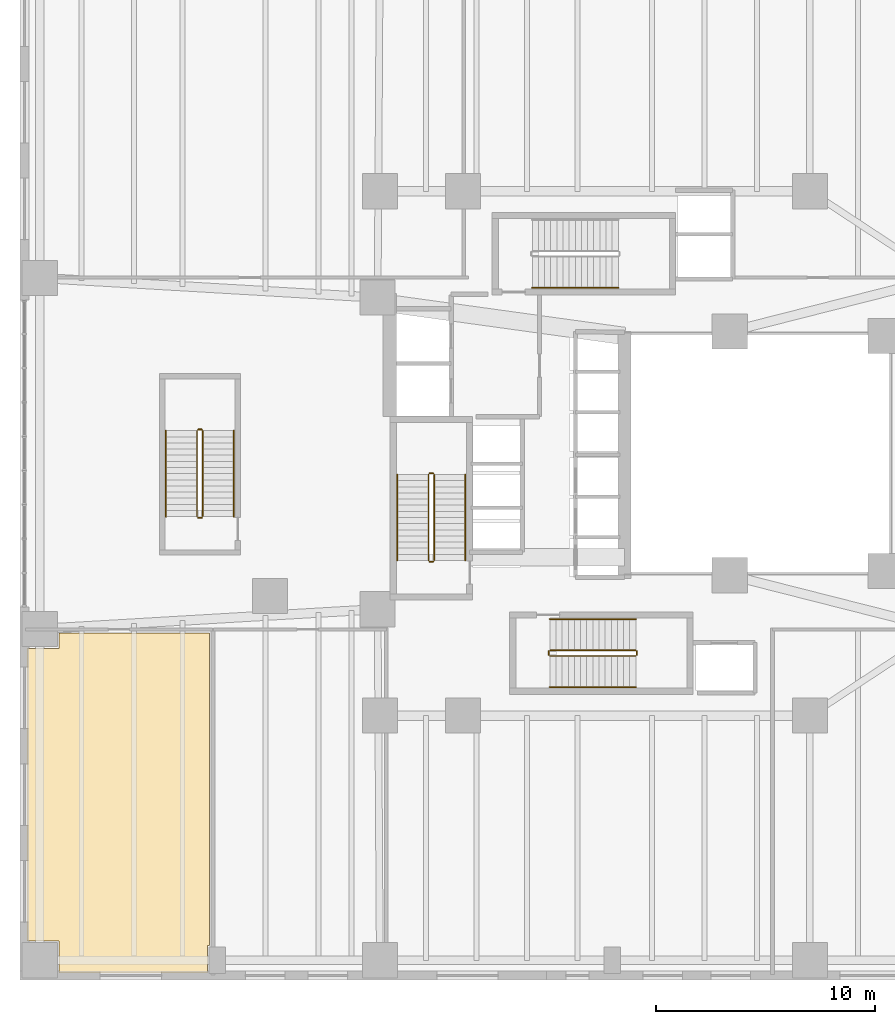
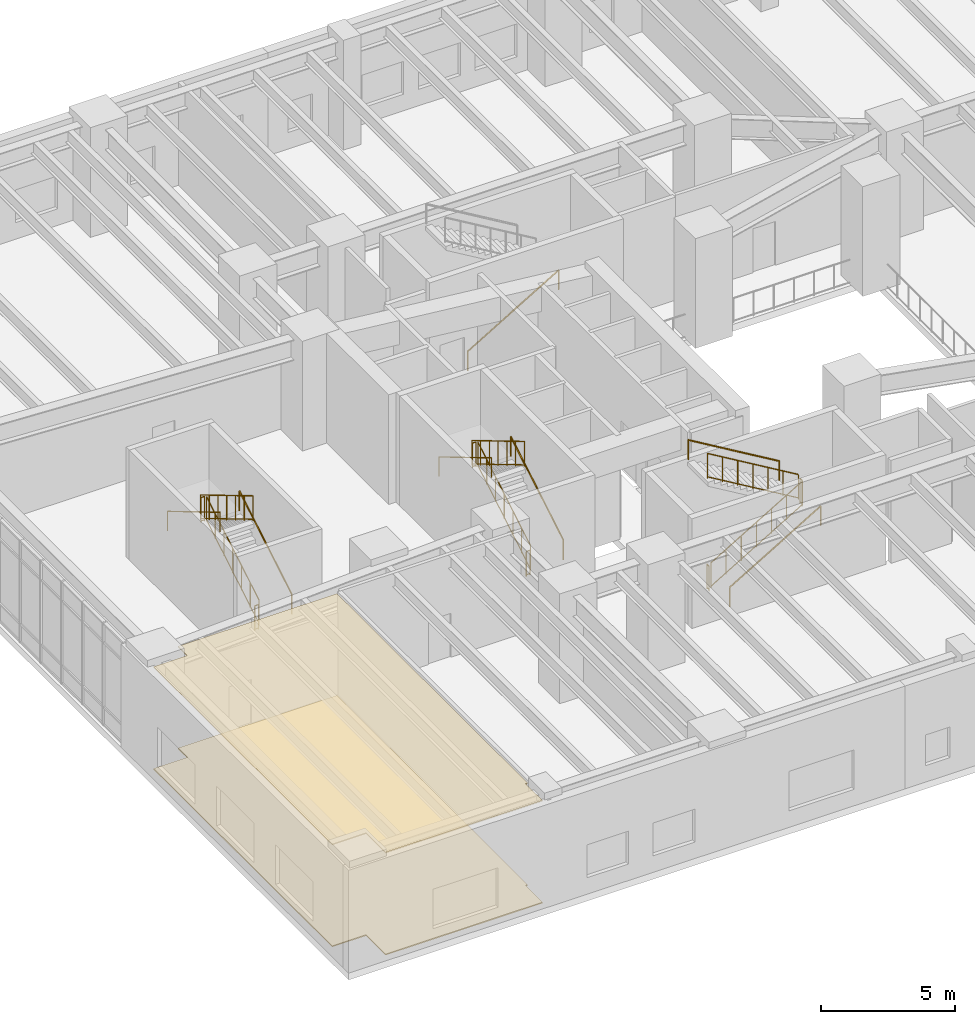
# One storey, part 17 of 18: 19 railings, 2 coverings.
"""IFC4 building model written with IfcOpenShell, lengths in metres."""

from ifc_helpers import new_model, si_unit, direction, frame, origin, origin_2d, place, context, subcontext, project, spatial, polyline, circle, outline, extrude, material, layer, layer_set, type_object, element, save


model = new_model("IFC4")

# Units and contexts
model_context = context("Model", 3, precision=1e-05, world=origin(), true_north=direction((0.0, 1.0)))
body_context = subcontext(model_context, "Body", "Model", "MODEL_VIEW")
ifc_project = project(units=[si_unit("LENGTHUNIT", "METRE"), si_unit("AREAUNIT", "SQUARE_METRE"), si_unit("VOLUMEUNIT", "CUBIC_METRE"), si_unit("PLANEANGLEUNIT", "RADIAN"), si_unit("MASSUNIT", "GRAM", prefix="KILO"), si_unit("THERMODYNAMICTEMPERATUREUNIT", "KELVIN"), si_unit("POWERUNIT", "WATT")], contexts=[model_context])

# Site, building, storey
site_placement = place(None, origin())
site = spatial("IfcSite", under=ifc_project, at=site_placement, CompositionType="ELEMENT")
building_placement = place(site_placement, origin())
building = spatial("IfcBuilding", under=site, at=building_placement, Name="Skarre Station Tower", CompositionType="ELEMENT")
storey_placement = place(building_placement, frame((0.0, 0.0, 11.0)))
storey = spatial("IfcBuildingStorey", under=building, at=storey_placement, Name="L03", CompositionType="ELEMENT", Elevation=11.0)

# Coverings
ifc_material_1 = material(Name="Honed Jura Limestone & Calcium-Sulfate Access Tile", Category="masonry")
ifc_layer_1 = layer(ifc_material_1, 0.050048828125, Name="Honed Jura Limestone & Calcium-Sulfate Access Tile")
ifc_layer_set_1 = layer_set([ifc_layer_1], Name="Honed Jura Limestone & Calcium-Sulfate Access Tile")
covering_type_1 = type_object("IfcCoveringType", Name="Honed Limestone & Raised Access Floor Finish 50", PredefinedType="FLOORING", material=ifc_layer_set_1)
covering_1_placement = place(storey_placement, origin())
element("IfcCovering", 1, at=covering_1_placement, inside=storey, type_object=covering_type_1, Name="L03 Limestone Access Flooring 1", PredefinedType="FLOORING", context=body_context, shape_type="SweptSolid", body=[
    extrude(outline(polyline([(1.780029296875, 0.320068359375), (8.544921875, 0.320068359375), (8.544921875, 1.580078125), (8.634033203125, 1.580078125), (8.634033203125, 15.820068359375), (1.780029296875, 15.820068359375), (1.780029296875, 15.1201171875), (0.320068359375, 15.1201171875), (0.320068359375, 1.780029296875), (1.780029296875, 1.780029296875), (1.780029296875, 0.320068359375)])), origin(), (0.0, 0.0, 1.0), 0.050048828125),
])
ifc_material_2 = material(Name="Perforated Nordic Birch Veneer & Mineral Wool", Category="wood")
ifc_layer_2 = layer(ifc_material_2, 0.044921875, Name="Perforated Nordic Birch Veneer & Mineral Wool")
ifc_layer_set_2 = layer_set([ifc_layer_2], Name="Perforated Nordic Birch Veneer & Mineral Wool")
covering_type_2 = type_object("IfcCoveringType", Name="Nordic Birch Slatted Acoustic Suspended Ceiling 45", PredefinedType="CEILING", material=ifc_layer_set_2)
covering_2_placement = place(storey_placement, frame((0.0, 0.0, 4.64501953125)))
element("IfcCovering", 2, at=covering_2_placement, inside=storey, type_object=covering_type_2, Name="L03 Acoustic Birch Ceiling 1", PredefinedType="CEILING", context=body_context, shape_type="SweptSolid", body=[
    extrude(outline(polyline([(1.780029296875, 0.320068359375), (8.544921875, 0.320068359375), (8.544921875, 1.580078125), (8.634033203125, 1.580078125), (8.634033203125, 15.820068359375), (1.780029296875, 15.820068359375), (1.780029296875, 15.1201171875), (0.320068359375, 15.1201171875), (0.320068359375, 1.780029296875), (1.780029296875, 1.780029296875), (1.780029296875, 0.320068359375)])), origin(), (0.0, 0.0, 1.0), 0.044921875),
])

# Railings
ifc_material_3 = material(Name="Powder-Coated Tubular Steel", Category="steel")
railing_type_1 = type_object("IfcRailingType", Name="Painted Steel Ramp & Stair Handrail 920", PredefinedType="HANDRAIL", material=ifc_material_3)
railing_1_placement = place(storey_placement, frame((20.300048828125, 19.1201171875, 0.166748046875)))
element("IfcRailing", 3, at=railing_1_placement, inside=storey, type_object=railing_type_1, Name="L03 ST-1 stair handrail 1", PredefinedType="HANDRAIL", context=body_context, shape_type="SweptSolid", body=[
    extrude(circle(Radius=0.02392578125, at=origin_2d()), frame((0.0, 0.0, 0.8759765625), z_axis=(0.0, 0.859296244711, 0.511478214419), x_axis=(-1.0, 0.0, 0.0)), (0.0, 0.0, 1.0), 4.561767578125),
    extrude(circle(Radius=0.02099609375, at=origin_2d()), origin(), (0.0, 0.0, 1.0), 0.851806640625),
    extrude(circle(Radius=0.02099609375, at=origin_2d()), frame((0.0, 3.919921875, 2.333251953125)), (0.0, 0.0, 1.0), 0.851806640625),
])
railing_2_placement = place(storey_placement, frame((17.199951171875, 23.0400390625, 2.666748046875)))
element("IfcRailing", 4, at=railing_2_placement, inside=storey, type_object=railing_type_1, Name="L03 ST-1 stair handrail 2", PredefinedType="HANDRAIL", context=body_context, shape_type="SweptSolid", body=[
    extrude(circle(Radius=0.02392578125, at=origin_2d()), frame((0.0, 0.0, 0.8759765625), z_axis=(0.0, -0.859296244711, 0.511478214419), x_axis=(1.0, 0.0, 0.0)), (0.0, 0.0, 1.0), 4.561767578125),
    extrude(circle(Radius=0.02099609375, at=origin_2d()), origin(), (0.0, 0.0, 1.0), 0.851806640625),
    extrude(circle(Radius=0.02099609375, at=origin_2d()), frame((0.0, -3.919921875, 2.333251953125)), (0.0, 0.0, 1.0), 0.851806640625),
])
railing_3_placement = place(storey_placement, frame((24.14990234375, 13.35009765625, 0.166748046875)))
element("IfcRailing", 5, at=railing_3_placement, inside=storey, type_object=railing_type_1, Name="L03 ST-2 stair handrail 1", PredefinedType="HANDRAIL", context=body_context, shape_type="SweptSolid", body=[
    extrude(circle(Radius=0.02392578125, at=origin_2d()), frame((0.0, 0.0, 0.8759765625), z_axis=(0.859310244771, 0.0, 0.511454693235), x_axis=(0.0, 1.0, 0.0)), (0.0, 0.0, 1.0), 4.56201171875),
    extrude(circle(Radius=0.02099609375, at=origin_2d()), origin(), (0.0, 0.0, 1.0), 0.851806640625),
    extrude(circle(Radius=0.02099609375, at=origin_2d()), frame((3.920166015625, 0.0, 2.333251953125)), (0.0, 0.0, 1.0), 0.851806640625),
])
railing_4_placement = place(storey_placement, frame((28.070068359375, 16.449951171875, 2.666748046875)))
element("IfcRailing", 6, at=railing_4_placement, inside=storey, type_object=railing_type_1, Name="L03 ST-2 stair handrail 2", PredefinedType="HANDRAIL", context=body_context, shape_type="SweptSolid", body=[
    extrude(circle(Radius=0.02392578125, at=origin_2d()), frame((0.0, 0.0, 0.8759765625), z_axis=(-0.859310244771, 0.0, 0.511454693235), x_axis=(0.0, -1.0, 0.0)), (0.0, 0.0, 1.0), 4.56201171875),
    extrude(circle(Radius=0.02099609375, at=origin_2d()), origin(), (0.0, 0.0, 1.0), 0.851806640625),
    extrude(circle(Radius=0.02099609375, at=origin_2d()), frame((-3.920166015625, 0.0, 2.333251953125)), (0.0, 0.0, 1.0), 0.851806640625),
])
railing_5_placement = place(storey_placement, frame((23.35009765625, 31.550048828125, 0.166748046875)))
element("IfcRailing", 7, at=railing_5_placement, inside=storey, type_object=railing_type_1, Name="L03 ST-3 stair handrail 1", PredefinedType="HANDRAIL", context=body_context, shape_type="SweptSolid", body=[
    extrude(circle(Radius=0.02392578125, at=origin_2d()), frame((0.0, 0.0, 0.8759765625), z_axis=(0.859296244711, 0.0, 0.511478214419), x_axis=(0.0, 1.0, 0.0)), (0.0, 0.0, 1.0), 4.561767578125),
    extrude(circle(Radius=0.02099609375, at=origin_2d()), origin(), (0.0, 0.0, 1.0), 0.851806640625),
    extrude(circle(Radius=0.02099609375, at=origin_2d()), frame((3.919921875, 0.0, 2.333251953125)), (0.0, 0.0, 1.0), 0.851806640625),
])
railing_6_placement = place(storey_placement, frame((9.75, 21.1201171875, 0.166748046875)))
element("IfcRailing", 8, at=railing_6_placement, inside=storey, type_object=railing_type_1, Name="L03 ST-4 stair handrail 1", PredefinedType="HANDRAIL", context=body_context, shape_type="SweptSolid", body=[
    extrude(circle(Radius=0.02392578125, at=origin_2d()), frame((0.0, 0.0, 0.8759765625), z_axis=(0.0, 0.859296244711, 0.511478214419), x_axis=(-1.0, 0.0, 0.0)), (0.0, 0.0, 1.0), 4.561767578125),
    extrude(circle(Radius=0.02099609375, at=origin_2d()), origin(), (0.0, 0.0, 1.0), 0.851806640625),
    extrude(circle(Radius=0.02099609375, at=origin_2d()), frame((0.0, 3.919921875, 2.333251953125)), (0.0, 0.0, 1.0), 0.851806640625),
])
railing_7_placement = place(storey_placement, frame((6.64990234375, 25.0400390625, 2.666748046875)))
element("IfcRailing", 9, at=railing_7_placement, inside=storey, type_object=railing_type_1, Name="L03 ST-4 stair handrail 2", PredefinedType="HANDRAIL", context=body_context, shape_type="SweptSolid", body=[
    extrude(circle(Radius=0.02392578125, at=origin_2d()), frame((0.0, 0.0, 0.8759765625), z_axis=(0.0, -0.859296244711, 0.511478214419), x_axis=(1.0, 0.0, 0.0)), (0.0, 0.0, 1.0), 4.561767578125),
    extrude(circle(Radius=0.02099609375, at=origin_2d()), origin(), (0.0, 0.0, 1.0), 0.851806640625),
    extrude(circle(Radius=0.02099609375, at=origin_2d()), frame((0.0, -3.919921875, 2.333251953125)), (0.0, 0.0, 1.0), 0.851806640625),
])
railing_type_2 = type_object("IfcRailingType", Name="Painted Steel Stairwell Guardrail 1100", PredefinedType="GUARDRAIL", material=ifc_material_3)
railing_8_placement = place(storey_placement, frame((18.8798828125, 19.1201171875, 0.166748046875)))
element("IfcRailing", 10, at=railing_8_placement, inside=storey, type_object=railing_type_2, Name="L03 ST-1 stair guard 1", PredefinedType="GUARDRAIL", context=body_context, shape_type="SweptSolid", body=[
    extrude(circle(Radius=0.02392578125, at=origin_2d()), frame((0.0, 0.0, 1.1259765625), z_axis=(0.0, 0.859296244711, 0.511478214419), x_axis=(-1.0, 0.0, 0.0)), (0.0, 0.0, 1.0), 4.561767578125),
    extrude(circle(Radius=0.02099609375, at=origin_2d()), frame((0.0, 0.0, 0.06005859375), z_axis=(0.0, 0.859296244711, 0.511478214419), x_axis=(-1.0, 0.0, 0.0)), (0.0, 0.0, 1.0), 4.561767578125),
    extrude(circle(Radius=0.02099609375, at=origin_2d()), origin(), (0.0, 0.0, 1.0), 1.101806640625),
    extrude(circle(Radius=0.02099609375, at=origin_2d()), frame((0.0, 0.6533203125, 0.388916015625)), (0.0, 0.0, 1.0), 1.101806640625),
    extrude(circle(Radius=0.02099609375, at=origin_2d()), frame((0.0, 1.306640625, 0.77783203125)), (0.0, 0.0, 1.0), 1.101806640625),
    extrude(circle(Radius=0.02099609375, at=origin_2d()), frame((0.0, 1.9599609375, 1.16650390625)), (0.0, 0.0, 1.0), 1.101806640625),
    extrude(circle(Radius=0.02099609375, at=origin_2d()), frame((0.0, 2.61328125, 1.555419921875)), (0.0, 0.0, 1.0), 1.101806640625),
    extrude(circle(Radius=0.02099609375, at=origin_2d()), frame((0.0, 3.2666015625, 1.9443359375)), (0.0, 0.0, 1.0), 1.101806640625),
    extrude(circle(Radius=0.02099609375, at=origin_2d()), frame((0.0, 3.919921875, 2.333251953125)), (0.0, 0.0, 1.0), 1.101806640625),
])
railing_9_placement = place(storey_placement, frame((18.830078125, 23.090087890625, 2.5)))
element("IfcRailing", 11, at=railing_9_placement, inside=storey, type_object=railing_type_2, Name="L03 ST-1 stair guard 2", PredefinedType="GUARDRAIL", context=body_context, shape_type="SweptSolid", body=[
    extrude(circle(Radius=0.02392578125, at=origin_2d()), frame((0.0, 0.0, 1.1259765625), z_axis=(-1.0, 0.0, 0.0), x_axis=(0.0, -1.0, 0.0)), (0.0, 0.0, 1.0), 0.16015625),
    extrude(circle(Radius=0.02099609375, at=origin_2d()), frame((0.0, 0.0, 0.06005859375), z_axis=(-1.0, 0.0, 0.0), x_axis=(0.0, -1.0, 0.0)), (0.0, 0.0, 1.0), 0.16015625),
    extrude(circle(Radius=0.02099609375, at=origin_2d()), origin(), (0.0, 0.0, 1.0), 1.101806640625),
    extrude(circle(Radius=0.02099609375, at=origin_2d()), frame((-0.16015625, 0.0, 0.0)), (0.0, 0.0, 1.0), 1.101806640625),
])
railing_10_placement = place(storey_placement, frame((18.6201171875, 23.0400390625, 2.666748046875)))
element("IfcRailing", 12, at=railing_10_placement, inside=storey, type_object=railing_type_2, Name="L03 ST-1 stair guard 3", PredefinedType="GUARDRAIL", context=body_context, shape_type="SweptSolid", body=[
    extrude(circle(Radius=0.02392578125, at=origin_2d()), frame((0.0, 0.0, 1.1259765625), z_axis=(0.0, -0.859296244711, 0.511478214419), x_axis=(1.0, 0.0, 0.0)), (0.0, 0.0, 1.0), 4.561767578125),
    extrude(circle(Radius=0.02099609375, at=origin_2d()), frame((0.0, 0.0, 0.06005859375), z_axis=(0.0, -0.859296244711, 0.511478214419), x_axis=(1.0, 0.0, 0.0)), (0.0, 0.0, 1.0), 4.561767578125),
    extrude(circle(Radius=0.02099609375, at=origin_2d()), origin(), (0.0, 0.0, 1.0), 1.101806640625),
    extrude(circle(Radius=0.02099609375, at=origin_2d()), frame((0.0, -0.6533203125, 0.388916015625)), (0.0, 0.0, 1.0), 1.101806640625),
    extrude(circle(Radius=0.02099609375, at=origin_2d()), frame((0.0, -1.306640625, 0.77783203125)), (0.0, 0.0, 1.0), 1.101806640625),
    extrude(circle(Radius=0.02099609375, at=origin_2d()), frame((0.0, -1.9599609375, 1.16650390625)), (0.0, 0.0, 1.0), 1.101806640625),
    extrude(circle(Radius=0.02099609375, at=origin_2d()), frame((0.0, -2.61328125, 1.555419921875)), (0.0, 0.0, 1.0), 1.101806640625),
    extrude(circle(Radius=0.02099609375, at=origin_2d()), frame((0.0, -3.2666015625, 1.9443359375)), (0.0, 0.0, 1.0), 1.101806640625),
    extrude(circle(Radius=0.02099609375, at=origin_2d()), frame((0.0, -3.919921875, 2.333251953125)), (0.0, 0.0, 1.0), 1.101806640625),
])
railing_11_placement = place(storey_placement, frame((18.830078125, 19.070068359375, 0.0)))
element("IfcRailing", 13, at=railing_11_placement, inside=storey, type_object=railing_type_2, Name="L03 ST-1 stair guard 4", PredefinedType="GUARDRAIL", context=body_context, shape_type="SweptSolid", body=[
    extrude(circle(Radius=0.02392578125, at=origin_2d()), frame((0.0, 0.0, 1.1259765625), z_axis=(-1.0, 0.0, 0.0), x_axis=(0.0, -1.0, 0.0)), (0.0, 0.0, 1.0), 0.16015625),
    extrude(circle(Radius=0.02099609375, at=origin_2d()), frame((0.0, 0.0, 0.06005859375), z_axis=(-1.0, 0.0, 0.0), x_axis=(0.0, -1.0, 0.0)), (0.0, 0.0, 1.0), 0.16015625),
    extrude(circle(Radius=0.02099609375, at=origin_2d()), origin(), (0.0, 0.0, 1.0), 1.101806640625),
    extrude(circle(Radius=0.02099609375, at=origin_2d()), frame((-0.16015625, 0.0, 0.0)), (0.0, 0.0, 1.0), 1.101806640625),
])
railing_12_placement = place(storey_placement, frame((24.14990234375, 14.77001953125, 0.166748046875)))
element("IfcRailing", 14, at=railing_12_placement, inside=storey, type_object=railing_type_2, Name="L03 ST-2 stair guard 1", PredefinedType="GUARDRAIL", context=body_context, shape_type="SweptSolid", body=[
    extrude(circle(Radius=0.02392578125, at=origin_2d()), frame((0.0, 0.0, 1.1259765625), z_axis=(0.859310244771, 0.0, 0.511454693235), x_axis=(0.0, 1.0, 0.0)), (0.0, 0.0, 1.0), 4.56201171875),
    extrude(circle(Radius=0.02099609375, at=origin_2d()), frame((0.0, 0.0, 0.06005859375), z_axis=(0.859310244771, 0.0, 0.511454693235), x_axis=(0.0, 1.0, 0.0)), (0.0, 0.0, 1.0), 4.56201171875),
    extrude(circle(Radius=0.02099609375, at=origin_2d()), origin(), (0.0, 0.0, 1.0), 1.101806640625),
    extrude(circle(Radius=0.02099609375, at=origin_2d()), frame((0.6533203125, 0.0, 0.388916015625)), (0.0, 0.0, 1.0), 1.101806640625),
    extrude(circle(Radius=0.02099609375, at=origin_2d()), frame((1.306640625, 0.0, 0.77783203125)), (0.0, 0.0, 1.0), 1.101806640625),
    extrude(circle(Radius=0.02099609375, at=origin_2d()), frame((1.9599609375, 0.0, 1.16650390625)), (0.0, 0.0, 1.0), 1.101806640625),
    extrude(circle(Radius=0.02099609375, at=origin_2d()), frame((2.613525390625, 0.0, 1.555419921875)), (0.0, 0.0, 1.0), 1.101806640625),
    extrude(circle(Radius=0.02099609375, at=origin_2d()), frame((3.266845703125, 0.0, 1.9443359375)), (0.0, 0.0, 1.0), 1.101806640625),
    extrude(circle(Radius=0.02099609375, at=origin_2d()), frame((3.920166015625, 0.0, 2.333251953125)), (0.0, 0.0, 1.0), 1.101806640625),
])
railing_13_placement = place(storey_placement, frame((28.1201171875, 14.820068359375, 2.5)))
element("IfcRailing", 15, at=railing_13_placement, inside=storey, type_object=railing_type_2, Name="L03 ST-2 stair guard 2", PredefinedType="GUARDRAIL", context=body_context, shape_type="SweptSolid", body=[
    extrude(circle(Radius=0.02392578125, at=origin_2d()), frame((0.0, 0.0, 1.1259765625), z_axis=(0.0, 1.0, 0.0), x_axis=(-1.0, 0.0, 0.0)), (0.0, 0.0, 1.0), 0.159912109375),
    extrude(circle(Radius=0.02099609375, at=origin_2d()), frame((0.0, 0.0, 0.06005859375), z_axis=(0.0, 1.0, 0.0), x_axis=(-1.0, 0.0, 0.0)), (0.0, 0.0, 1.0), 0.159912109375),
    extrude(circle(Radius=0.02099609375, at=origin_2d()), origin(), (0.0, 0.0, 1.0), 1.101806640625),
    extrude(circle(Radius=0.02099609375, at=origin_2d()), frame((0.0, 0.159912109375, 0.0)), (0.0, 0.0, 1.0), 1.101806640625),
])
railing_14_placement = place(storey_placement, frame((28.070068359375, 15.030029296875, 2.666748046875)))
element("IfcRailing", 16, at=railing_14_placement, inside=storey, type_object=railing_type_2, Name="L03 ST-2 stair guard 3", PredefinedType="GUARDRAIL", context=body_context, shape_type="SweptSolid", body=[
    extrude(circle(Radius=0.02392578125, at=origin_2d()), frame((0.0, 0.0, 1.1259765625), z_axis=(-0.859310244771, 0.0, 0.511454693235), x_axis=(0.0, -1.0, 0.0)), (0.0, 0.0, 1.0), 4.56201171875),
    extrude(circle(Radius=0.02099609375, at=origin_2d()), frame((0.0, 0.0, 0.06005859375), z_axis=(-0.859310244771, 0.0, 0.511454693235), x_axis=(0.0, -1.0, 0.0)), (0.0, 0.0, 1.0), 4.56201171875),
    extrude(circle(Radius=0.02099609375, at=origin_2d()), origin(), (0.0, 0.0, 1.0), 1.101806640625),
    extrude(circle(Radius=0.02099609375, at=origin_2d()), frame((-0.6533203125, 0.0, 0.388916015625)), (0.0, 0.0, 1.0), 1.101806640625),
    extrude(circle(Radius=0.02099609375, at=origin_2d()), frame((-1.306640625, 0.0, 0.77783203125)), (0.0, 0.0, 1.0), 1.101806640625),
    extrude(circle(Radius=0.02099609375, at=origin_2d()), frame((-1.9599609375, 0.0, 1.16650390625)), (0.0, 0.0, 1.0), 1.101806640625),
    extrude(circle(Radius=0.02099609375, at=origin_2d()), frame((-2.613525390625, 0.0, 1.555419921875)), (0.0, 0.0, 1.0), 1.101806640625),
    extrude(circle(Radius=0.02099609375, at=origin_2d()), frame((-3.266845703125, 0.0, 1.9443359375)), (0.0, 0.0, 1.0), 1.101806640625),
    extrude(circle(Radius=0.02099609375, at=origin_2d()), frame((-3.920166015625, 0.0, 2.333251953125)), (0.0, 0.0, 1.0), 1.101806640625),
])
railing_15_placement = place(storey_placement, frame((24.10009765625, 14.820068359375, 0.0)))
element("IfcRailing", 17, at=railing_15_placement, inside=storey, type_object=railing_type_2, Name="L03 ST-2 stair guard 4", PredefinedType="GUARDRAIL", context=body_context, shape_type="SweptSolid", body=[
    extrude(circle(Radius=0.02392578125, at=origin_2d()), frame((0.0, 0.0, 1.1259765625), z_axis=(0.0, 1.0, 0.0), x_axis=(-1.0, 0.0, 0.0)), (0.0, 0.0, 1.0), 0.159912109375),
    extrude(circle(Radius=0.02099609375, at=origin_2d()), frame((0.0, 0.0, 0.06005859375), z_axis=(0.0, 1.0, 0.0), x_axis=(-1.0, 0.0, 0.0)), (0.0, 0.0, 1.0), 0.159912109375),
    extrude(circle(Radius=0.02099609375, at=origin_2d()), origin(), (0.0, 0.0, 1.0), 1.101806640625),
    extrude(circle(Radius=0.02099609375, at=origin_2d()), frame((0.0, 0.159912109375, 0.0)), (0.0, 0.0, 1.0), 1.101806640625),
])
railing_16_placement = place(storey_placement, frame((8.330078125, 21.1201171875, 0.166748046875)))
element("IfcRailing", 18, at=railing_16_placement, inside=storey, type_object=railing_type_2, Name="L03 ST-4 stair guard 1", PredefinedType="GUARDRAIL", context=body_context, shape_type="SweptSolid", body=[
    extrude(circle(Radius=0.02392578125, at=origin_2d()), frame((0.0, 0.0, 1.1259765625), z_axis=(0.0, 0.859296244711, 0.511478214419), x_axis=(-1.0, 0.0, 0.0)), (0.0, 0.0, 1.0), 4.561767578125),
    extrude(circle(Radius=0.02099609375, at=origin_2d()), frame((0.0, 0.0, 0.06005859375), z_axis=(0.0, 0.859296244711, 0.511478214419), x_axis=(-1.0, 0.0, 0.0)), (0.0, 0.0, 1.0), 4.561767578125),
    extrude(circle(Radius=0.02099609375, at=origin_2d()), origin(), (0.0, 0.0, 1.0), 1.101806640625),
    extrude(circle(Radius=0.02099609375, at=origin_2d()), frame((0.0, 0.6533203125, 0.388916015625)), (0.0, 0.0, 1.0), 1.101806640625),
    extrude(circle(Radius=0.02099609375, at=origin_2d()), frame((0.0, 1.306640625, 0.77783203125)), (0.0, 0.0, 1.0), 1.101806640625),
    extrude(circle(Radius=0.02099609375, at=origin_2d()), frame((0.0, 1.9599609375, 1.16650390625)), (0.0, 0.0, 1.0), 1.101806640625),
    extrude(circle(Radius=0.02099609375, at=origin_2d()), frame((0.0, 2.61328125, 1.555419921875)), (0.0, 0.0, 1.0), 1.101806640625),
    extrude(circle(Radius=0.02099609375, at=origin_2d()), frame((0.0, 3.2666015625, 1.9443359375)), (0.0, 0.0, 1.0), 1.101806640625),
    extrude(circle(Radius=0.02099609375, at=origin_2d()), frame((0.0, 3.919921875, 2.333251953125)), (0.0, 0.0, 1.0), 1.101806640625),
])
railing_17_placement = place(storey_placement, frame((8.280029296875, 25.090087890625, 2.5)))
element("IfcRailing", 19, at=railing_17_placement, inside=storey, type_object=railing_type_2, Name="L03 ST-4 stair guard 2", PredefinedType="GUARDRAIL", context=body_context, shape_type="SweptSolid", body=[
    extrude(circle(Radius=0.02392578125, at=origin_2d()), frame((0.0, 0.0, 1.1259765625), z_axis=(-1.0, 0.0, 0.0), x_axis=(0.0, -1.0, 0.0)), (0.0, 0.0, 1.0), 0.159912109375),
    extrude(circle(Radius=0.02099609375, at=origin_2d()), frame((0.0, 0.0, 0.06005859375), z_axis=(-1.0, 0.0, 0.0), x_axis=(0.0, -1.0, 0.0)), (0.0, 0.0, 1.0), 0.159912109375),
    extrude(circle(Radius=0.02099609375, at=origin_2d()), origin(), (0.0, 0.0, 1.0), 1.101806640625),
    extrude(circle(Radius=0.02099609375, at=origin_2d()), frame((-0.159912109375, 0.0, 0.0)), (0.0, 0.0, 1.0), 1.101806640625),
])
railing_18_placement = place(storey_placement, frame((8.070068359375, 25.0400390625, 2.666748046875)))
element("IfcRailing", 20, at=railing_18_placement, inside=storey, type_object=railing_type_2, Name="L03 ST-4 stair guard 3", PredefinedType="GUARDRAIL", context=body_context, shape_type="SweptSolid", body=[
    extrude(circle(Radius=0.02392578125, at=origin_2d()), frame((0.0, 0.0, 1.1259765625), z_axis=(0.0, -0.859296244711, 0.511478214419), x_axis=(1.0, 0.0, 0.0)), (0.0, 0.0, 1.0), 4.561767578125),
    extrude(circle(Radius=0.02099609375, at=origin_2d()), frame((0.0, 0.0, 0.06005859375), z_axis=(0.0, -0.859296244711, 0.511478214419), x_axis=(1.0, 0.0, 0.0)), (0.0, 0.0, 1.0), 4.561767578125),
    extrude(circle(Radius=0.02099609375, at=origin_2d()), origin(), (0.0, 0.0, 1.0), 1.101806640625),
    extrude(circle(Radius=0.02099609375, at=origin_2d()), frame((0.0, -0.6533203125, 0.388916015625)), (0.0, 0.0, 1.0), 1.101806640625),
    extrude(circle(Radius=0.02099609375, at=origin_2d()), frame((0.0, -1.306640625, 0.77783203125)), (0.0, 0.0, 1.0), 1.101806640625),
    extrude(circle(Radius=0.02099609375, at=origin_2d()), frame((0.0, -1.9599609375, 1.16650390625)), (0.0, 0.0, 1.0), 1.101806640625),
    extrude(circle(Radius=0.02099609375, at=origin_2d()), frame((0.0, -2.61328125, 1.555419921875)), (0.0, 0.0, 1.0), 1.101806640625),
    extrude(circle(Radius=0.02099609375, at=origin_2d()), frame((0.0, -3.2666015625, 1.9443359375)), (0.0, 0.0, 1.0), 1.101806640625),
    extrude(circle(Radius=0.02099609375, at=origin_2d()), frame((0.0, -3.919921875, 2.333251953125)), (0.0, 0.0, 1.0), 1.101806640625),
])
railing_19_placement = place(storey_placement, frame((8.280029296875, 21.070068359375, 0.0)))
element("IfcRailing", 21, at=railing_19_placement, inside=storey, type_object=railing_type_2, Name="L03 ST-4 stair guard 4", PredefinedType="GUARDRAIL", context=body_context, shape_type="SweptSolid", body=[
    extrude(circle(Radius=0.02392578125, at=origin_2d()), frame((0.0, 0.0, 1.1259765625), z_axis=(-1.0, 0.0, 0.0), x_axis=(0.0, -1.0, 0.0)), (0.0, 0.0, 1.0), 0.159912109375),
    extrude(circle(Radius=0.02099609375, at=origin_2d()), frame((0.0, 0.0, 0.06005859375), z_axis=(-1.0, 0.0, 0.0), x_axis=(0.0, -1.0, 0.0)), (0.0, 0.0, 1.0), 0.159912109375),
    extrude(circle(Radius=0.02099609375, at=origin_2d()), origin(), (0.0, 0.0, 1.0), 1.101806640625),
    extrude(circle(Radius=0.02099609375, at=origin_2d()), frame((-0.159912109375, 0.0, 0.0)), (0.0, 0.0, 1.0), 1.101806640625),
])

save(model, "model.ifc")
